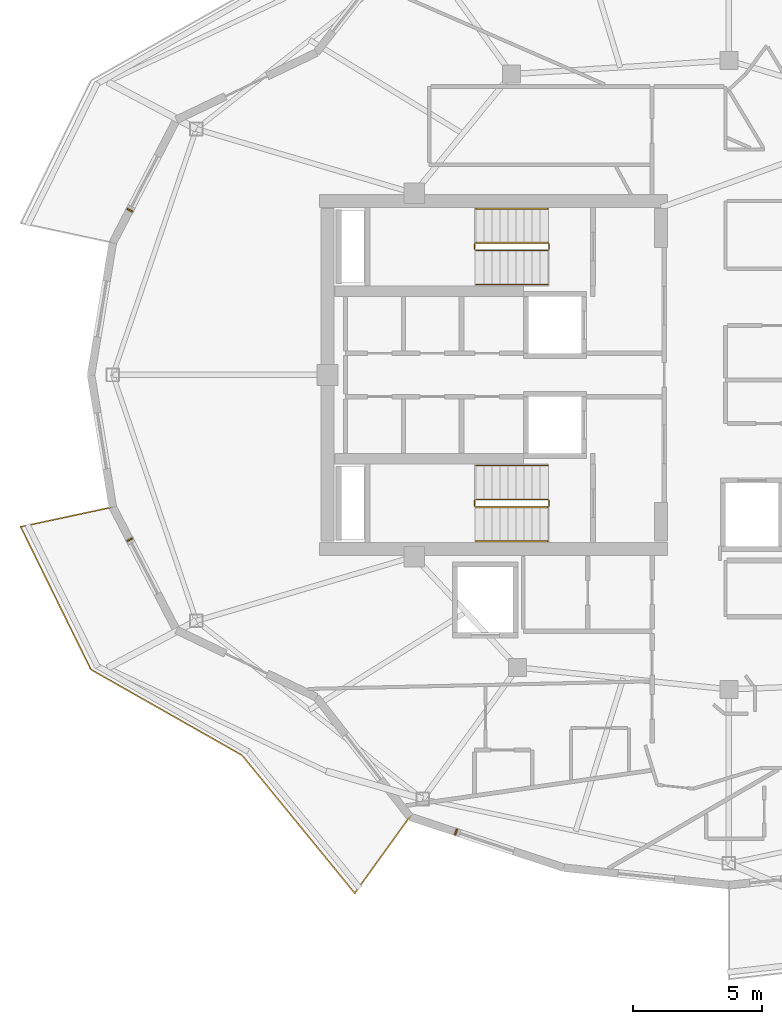
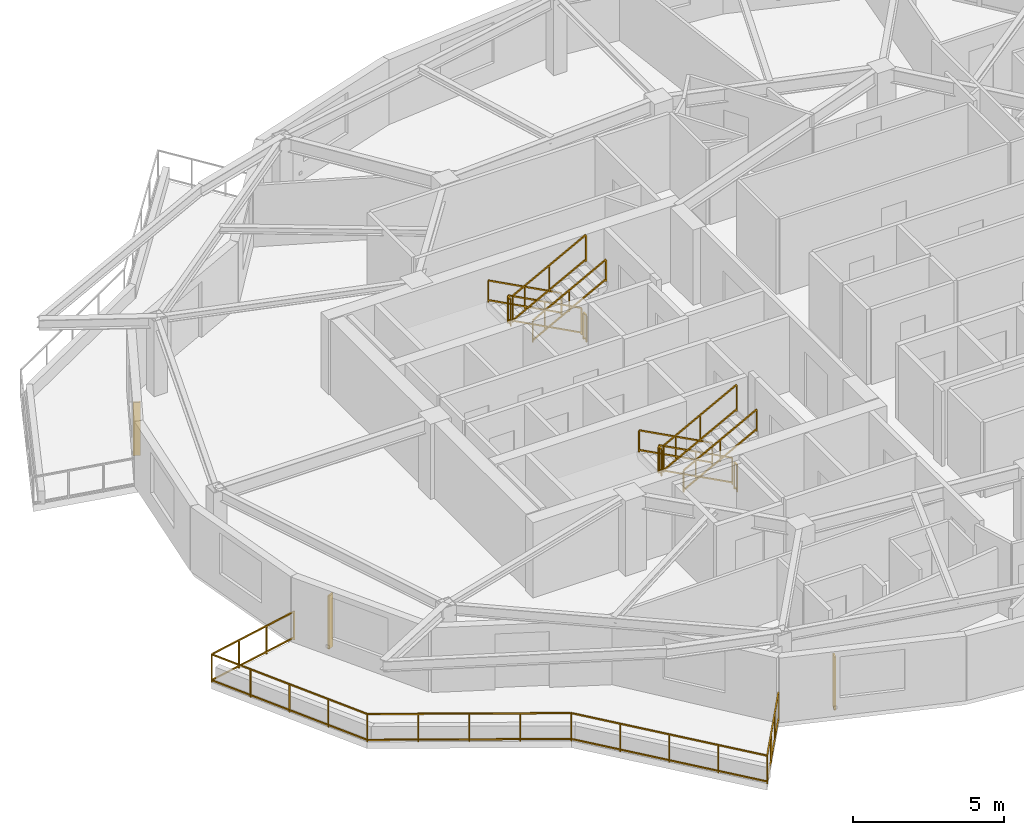
# One storey, part 12 of 14: 13 railings, 3 shading devices.
"""IFC4 building model written with IfcOpenShell, lengths in metres."""

from ifc_helpers import new_model, si_unit, direction, frame, origin, origin_2d, place, context, subcontext, project, spatial, rectangle, extrude, material, type_object, element, save


model = new_model("IFC4")

# Units and contexts
model_context = context("Model", 3, precision=1e-05, world=origin(), true_north=direction((0.0, 1.0)))
body_context = subcontext(model_context, "Body", "Model", "MODEL_VIEW")
ifc_project = project(units=[si_unit("LENGTHUNIT", "METRE"), si_unit("AREAUNIT", "SQUARE_METRE"), si_unit("VOLUMEUNIT", "CUBIC_METRE"), si_unit("PLANEANGLEUNIT", "RADIAN"), si_unit("MASSUNIT", "GRAM", prefix="KILO")], contexts=[model_context])

# Site, building, storey
site_placement = place(None, origin())
site = spatial("IfcSite", under=ifc_project, at=site_placement, CompositionType="ELEMENT")
building_placement = place(site_placement, origin())
building = spatial("IfcBuilding", under=site, at=building_placement, Name="Kolvaren Gate Tower and Convention Centre", CompositionType="ELEMENT")
storey_placement = place(building_placement, frame((0.0, 0.0, 232.699951171875)))
storey = spatial("IfcBuildingStorey", under=building, at=storey_placement, Name="L62", CompositionType="ELEMENT", Elevation=232.699951171875)

# Railings
ifc_material_1 = material(Name="Brushed Stainless Steel Grade 316L", Category="steel")
railing_type_1 = type_object("IfcRailingType", Name="ARCH-RL-GUARD-1150", PredefinedType="GUARDRAIL", material=ifc_material_1)
railing_1_placement = place(storey_placement, frame((23.10009765625, 32.1298828125, 0.1650390625)))
element("IfcRailing", 1, at=railing_1_placement, inside=storey, type_object=railing_type_1, Name="L62 ST-T1 stair guard 1", PredefinedType="GUARDRAIL", context=body_context, shape_type="SweptSolid", body=[
    extrude(rectangle(XDim=0.048095703125, YDim=0.048095703125, at=origin_2d()), frame((0.0, 0.0, 1.076171875), z_axis=(-0.882735390775, 0.0, 0.469870439454), x_axis=(0.0, -1.0, 0.0)), (0.0, 0.0, 1.0), 3.16064453125),
    extrude(rectangle(XDim=0.048095703125, YDim=0.048095703125, at=origin_2d()), frame((0.0, 0.0, 0.083984375), z_axis=(-0.882735390775, 0.0, 0.469870439454), x_axis=(0.0, -1.0, 0.0)), (0.0, 0.0, 1.0), 3.16064453125),
    extrude(rectangle(XDim=0.0419921875, YDim=0.0419921875, at=origin_2d()), origin(), (0.0, 0.0, 1.0), 1.050048828125),
    extrude(rectangle(XDim=0.0419921875, YDim=0.0419921875, at=origin_2d()), frame((-2.7900390625, 0.0, 1.485107421875)), (0.0, 0.0, 1.0), 1.050048828125),
    extrude(rectangle(XDim=0.0419921875, YDim=0.0419921875, at=origin_2d()), frame((-1.39501953125, 0.0, 0.74267578125)), (0.0, 0.0, 1.0), 1.050048828125),
])
railing_2_placement = place(storey_placement, frame((20.260009765625, 32.080078125, 1.650146484375)))
element("IfcRailing", 2, at=railing_2_placement, inside=storey, type_object=railing_type_1, Name="L62 ST-T1 stair guard 2", PredefinedType="GUARDRAIL", context=body_context, shape_type="SweptSolid", body=[
    extrude(rectangle(XDim=0.048095703125, YDim=0.048095703125, at=origin_2d()), frame((0.0, 0.0, 1.076171875), z_axis=(0.0, -1.0, 0.0), x_axis=(1.0, 0.0, 0.0)), (0.0, 0.0, 1.0), 0.2001953125),
    extrude(rectangle(XDim=0.048095703125, YDim=0.048095703125, at=origin_2d()), frame((0.0, 0.0, 0.083984375), z_axis=(0.0, -1.0, 0.0), x_axis=(1.0, 0.0, 0.0)), (0.0, 0.0, 1.0), 0.2001953125),
    extrude(rectangle(XDim=0.0419921875, YDim=0.0419921875, at=origin_2d()), origin(), (0.0, 0.0, 1.0), 1.050048828125),
    extrude(rectangle(XDim=0.0419921875, YDim=0.0419921875, at=origin_2d()), frame((0.0, -0.2001953125, 0.0)), (0.0, 0.0, 1.0), 1.050048828125),
])
railing_3_placement = place(storey_placement, frame((20.31005859375, 31.830078125, 1.81494140625)))
element("IfcRailing", 3, at=railing_3_placement, inside=storey, type_object=railing_type_1, Name="L62 ST-T1 stair guard 3", PredefinedType="GUARDRAIL", context=body_context, shape_type="SweptSolid", body=[
    extrude(rectangle(XDim=0.048095703125, YDim=0.048095703125, at=origin_2d()), frame((0.0, 0.0, 1.076171875), z_axis=(0.882735390775, 0.0, 0.469870439454), x_axis=(0.0, 1.0, 0.0)), (0.0, 0.0, 1.0), 3.16064453125),
    extrude(rectangle(XDim=0.048095703125, YDim=0.048095703125, at=origin_2d()), frame((0.0, 0.0, 0.083984375), z_axis=(0.882735390775, 0.0, 0.469870439454), x_axis=(0.0, 1.0, 0.0)), (0.0, 0.0, 1.0), 3.16064453125),
    extrude(rectangle(XDim=0.0419921875, YDim=0.0419921875, at=origin_2d()), origin(), (0.0, 0.0, 1.0), 1.050048828125),
    extrude(rectangle(XDim=0.0419921875, YDim=0.0419921875, at=origin_2d()), frame((2.7900390625, 0.0, 1.485107421875)), (0.0, 0.0, 1.0), 1.050048828125),
    extrude(rectangle(XDim=0.0419921875, YDim=0.0419921875, at=origin_2d()), frame((1.39501953125, 0.0, 0.74267578125)), (0.0, 0.0, 1.0), 1.050048828125),
])
railing_4_placement = place(storey_placement, frame((23.14990234375, 32.080078125, 0.0)))
element("IfcRailing", 4, at=railing_4_placement, inside=storey, type_object=railing_type_1, Name="L62 ST-T1 stair guard 4", PredefinedType="GUARDRAIL", context=body_context, shape_type="SweptSolid", body=[
    extrude(rectangle(XDim=0.048095703125, YDim=0.048095703125, at=origin_2d()), frame((0.0, 0.0, 1.076171875), z_axis=(0.0, -1.0, 0.0), x_axis=(1.0, 0.0, 0.0)), (0.0, 0.0, 1.0), 0.2001953125),
    extrude(rectangle(XDim=0.048095703125, YDim=0.048095703125, at=origin_2d()), frame((0.0, 0.0, 0.083984375), z_axis=(0.0, -1.0, 0.0), x_axis=(1.0, 0.0, 0.0)), (0.0, 0.0, 1.0), 0.2001953125),
    extrude(rectangle(XDim=0.0419921875, YDim=0.0419921875, at=origin_2d()), origin(), (0.0, 0.0, 1.0), 1.050048828125),
    extrude(rectangle(XDim=0.0419921875, YDim=0.0419921875, at=origin_2d()), frame((0.0, -0.2001953125, 0.0)), (0.0, 0.0, 1.0), 1.050048828125),
])
railing_5_placement = place(storey_placement, frame((23.10009765625, 22.169921875, 0.1650390625)))
element("IfcRailing", 5, at=railing_5_placement, inside=storey, type_object=railing_type_1, Name="L62 ST-T2 stair guard 1", PredefinedType="GUARDRAIL", context=body_context, shape_type="SweptSolid", body=[
    extrude(rectangle(XDim=0.048095703125, YDim=0.048095703125, at=origin_2d()), frame((0.0, 0.0, 1.076171875), z_axis=(-0.882735390775, 0.0, 0.469870439454), x_axis=(0.0, -1.0, 0.0)), (0.0, 0.0, 1.0), 3.16064453125),
    extrude(rectangle(XDim=0.048095703125, YDim=0.048095703125, at=origin_2d()), frame((0.0, 0.0, 0.083984375), z_axis=(-0.882735390775, 0.0, 0.469870439454), x_axis=(0.0, -1.0, 0.0)), (0.0, 0.0, 1.0), 3.16064453125),
    extrude(rectangle(XDim=0.0419921875, YDim=0.0419921875, at=origin_2d()), origin(), (0.0, 0.0, 1.0), 1.050048828125),
    extrude(rectangle(XDim=0.0419921875, YDim=0.0419921875, at=origin_2d()), frame((-2.7900390625, 0.0, 1.485107421875)), (0.0, 0.0, 1.0), 1.050048828125),
    extrude(rectangle(XDim=0.0419921875, YDim=0.0419921875, at=origin_2d()), frame((-1.39501953125, 0.0, 0.74267578125)), (0.0, 0.0, 1.0), 1.050048828125),
])
railing_6_placement = place(storey_placement, frame((20.260009765625, 22.1201171875, 1.650146484375)))
element("IfcRailing", 6, at=railing_6_placement, inside=storey, type_object=railing_type_1, Name="L62 ST-T2 stair guard 2", PredefinedType="GUARDRAIL", context=body_context, shape_type="SweptSolid", body=[
    extrude(rectangle(XDim=0.048095703125, YDim=0.048095703125, at=origin_2d()), frame((0.0, 0.0, 1.076171875), z_axis=(0.0, -1.0, 0.0), x_axis=(1.0, 0.0, 0.0)), (0.0, 0.0, 1.0), 0.2001953125),
    extrude(rectangle(XDim=0.048095703125, YDim=0.048095703125, at=origin_2d()), frame((0.0, 0.0, 0.083984375), z_axis=(0.0, -1.0, 0.0), x_axis=(1.0, 0.0, 0.0)), (0.0, 0.0, 1.0), 0.2001953125),
    extrude(rectangle(XDim=0.0419921875, YDim=0.0419921875, at=origin_2d()), origin(), (0.0, 0.0, 1.0), 1.050048828125),
    extrude(rectangle(XDim=0.0419921875, YDim=0.0419921875, at=origin_2d()), frame((0.0, -0.2001953125, 0.0)), (0.0, 0.0, 1.0), 1.050048828125),
])
railing_7_placement = place(storey_placement, frame((20.31005859375, 21.8701171875, 1.81494140625)))
element("IfcRailing", 7, at=railing_7_placement, inside=storey, type_object=railing_type_1, Name="L62 ST-T2 stair guard 3", PredefinedType="GUARDRAIL", context=body_context, shape_type="SweptSolid", body=[
    extrude(rectangle(XDim=0.048095703125, YDim=0.048095703125, at=origin_2d()), frame((0.0, 0.0, 1.076171875), z_axis=(0.882735390775, 0.0, 0.469870439454), x_axis=(0.0, 1.0, 0.0)), (0.0, 0.0, 1.0), 3.16064453125),
    extrude(rectangle(XDim=0.048095703125, YDim=0.048095703125, at=origin_2d()), frame((0.0, 0.0, 0.083984375), z_axis=(0.882735390775, 0.0, 0.469870439454), x_axis=(0.0, 1.0, 0.0)), (0.0, 0.0, 1.0), 3.16064453125),
    extrude(rectangle(XDim=0.0419921875, YDim=0.0419921875, at=origin_2d()), origin(), (0.0, 0.0, 1.0), 1.050048828125),
    extrude(rectangle(XDim=0.0419921875, YDim=0.0419921875, at=origin_2d()), frame((2.7900390625, 0.0, 1.485107421875)), (0.0, 0.0, 1.0), 1.050048828125),
    extrude(rectangle(XDim=0.0419921875, YDim=0.0419921875, at=origin_2d()), frame((1.39501953125, 0.0, 0.74267578125)), (0.0, 0.0, 1.0), 1.050048828125),
])
railing_8_placement = place(storey_placement, frame((23.14990234375, 22.1201171875, 0.0)))
element("IfcRailing", 8, at=railing_8_placement, inside=storey, type_object=railing_type_1, Name="L62 ST-T2 stair guard 4", PredefinedType="GUARDRAIL", context=body_context, shape_type="SweptSolid", body=[
    extrude(rectangle(XDim=0.048095703125, YDim=0.048095703125, at=origin_2d()), frame((0.0, 0.0, 1.076171875), z_axis=(0.0, -1.0, 0.0), x_axis=(1.0, 0.0, 0.0)), (0.0, 0.0, 1.0), 0.2001953125),
    extrude(rectangle(XDim=0.048095703125, YDim=0.048095703125, at=origin_2d()), frame((0.0, 0.0, 0.083984375), z_axis=(0.0, -1.0, 0.0), x_axis=(1.0, 0.0, 0.0)), (0.0, 0.0, 1.0), 0.2001953125),
    extrude(rectangle(XDim=0.0419921875, YDim=0.0419921875, at=origin_2d()), origin(), (0.0, 0.0, 1.0), 1.050048828125),
    extrude(rectangle(XDim=0.0419921875, YDim=0.0419921875, at=origin_2d()), frame((0.0, -0.2001953125, 0.0)), (0.0, 0.0, 1.0), 1.050048828125),
])
railing_9_placement = place(storey_placement, frame((6.21826171875, 21.87548828125, 0.0)))
element("IfcRailing", 9, at=railing_9_placement, inside=storey, type_object=railing_type_1, Name="Tower L62 Terrace Perimeter Guardrail GR-2", PredefinedType="GUARDRAIL", context=body_context, shape_type="SweptSolid", body=[
    extrude(rectangle(XDim=0.048095703125, YDim=0.048095703125, at=origin_2d()), frame((-0.02734375, -0.005859375, 1.1259765625), z_axis=(-0.977788745232, -0.209592866525, 0.0), x_axis=(0.209592866525, -0.977788745232, 0.0)), (0.0, 0.0, 1.0), 3.603759765625),
    extrude(rectangle(XDim=0.048095703125, YDim=0.048095703125, at=origin_2d()), frame((-0.02734375, -0.005859375, 0.083984375), z_axis=(-0.977788745232, -0.209592866525, 0.0), x_axis=(0.209592866525, -0.977788745232, 0.0)), (0.0, 0.0, 1.0), 3.603759765625),
    extrude(rectangle(XDim=0.048095703125, YDim=0.048095703125, at=origin_2d()), frame((-3.566162109375, -0.792236328125, 1.1259765625), z_axis=(0.441625304244, -0.897199582396, 0.0), x_axis=(0.897199582396, 0.441625304244, 0.0)), (0.0, 0.0, 1.0), 6.122314453125),
    extrude(rectangle(XDim=0.048095703125, YDim=0.048095703125, at=origin_2d()), frame((-3.566162109375, -0.792236328125, 0.083984375), z_axis=(0.441625304244, -0.897199582396, 0.0), x_axis=(0.897199582396, 0.441625304244, 0.0)), (0.0, 0.0, 1.0), 6.122314453125),
    extrude(rectangle(XDim=0.048095703125, YDim=0.048095703125, at=origin_2d()), frame((-0.82568359375, -6.32421875, 1.1259765625), z_axis=(0.869876155964, -0.493270182846, 0.0), x_axis=(0.493270182846, 0.869876155964, 0.0)), (0.0, 0.0, 1.0), 6.6865234375),
    extrude(rectangle(XDim=0.048095703125, YDim=0.048095703125, at=origin_2d()), frame((-0.82568359375, -6.32421875, 0.083984375), z_axis=(0.869876155964, -0.493270182846, 0.0), x_axis=(0.493270182846, 0.869876155964, 0.0)), (0.0, 0.0, 1.0), 6.6865234375),
    extrude(rectangle(XDim=0.048095703125, YDim=0.048095703125, at=origin_2d()), frame((5.032958984375, -9.657958984375, 1.1259765625), z_axis=(0.632718487063, -0.77438189295, 0.0), x_axis=(0.77438189295, 0.632718487063, 0.0)), (0.0, 0.0, 1.0), 6.858154296875),
    extrude(rectangle(XDim=0.048095703125, YDim=0.048095703125, at=origin_2d()), frame((5.032958984375, -9.657958984375, 0.083984375), z_axis=(0.632718487063, -0.77438189295, 0.0), x_axis=(0.77438189295, 0.632718487063, 0.0)), (0.0, 0.0, 1.0), 6.858154296875),
    extrude(rectangle(XDim=0.048095703125, YDim=0.048095703125, at=origin_2d()), frame((9.40625, -14.9677734375, 1.1259765625), z_axis=(0.585212870465, 0.810879705161, 0.0), x_axis=(-0.810879705161, 0.585212870465, 0.0)), (0.0, 0.0, 1.0), 3.603759765625),
    extrude(rectangle(XDim=0.048095703125, YDim=0.048095703125, at=origin_2d()), frame((9.40625, -14.9677734375, 0.083984375), z_axis=(0.585212870465, 0.810879705161, 0.0), x_axis=(-0.810879705161, 0.585212870465, 0.0)), (0.0, 0.0, 1.0), 3.603759765625),
    extrude(rectangle(XDim=0.0419921875, YDim=0.0419921875, at=origin_2d()), origin(), (0.0, 0.0, 1.0), 1.14990234375),
    extrude(rectangle(XDim=0.0419921875, YDim=0.0419921875, at=origin_2d()), frame((-3.57861328125, -0.76708984375, 0.0)), (0.0, 0.0, 1.0), 1.14990234375),
    extrude(rectangle(XDim=0.0419921875, YDim=0.0419921875, at=origin_2d()), frame((-1.19287109375, -0.255615234375, 0.0)), (0.0, 0.0, 1.0), 1.099853515625),
    extrude(rectangle(XDim=0.0419921875, YDim=0.0419921875, at=origin_2d()), frame((-2.3857421875, -0.511474609375, 0.0)), (0.0, 0.0, 1.0), 1.099853515625),
    extrude(rectangle(XDim=0.0419921875, YDim=0.0419921875, at=origin_2d()), frame((-0.85009765625, -6.310302734375, 0.0)), (0.0, 0.0, 1.0), 1.14990234375),
    extrude(rectangle(XDim=0.0419921875, YDim=0.0419921875, at=origin_2d()), frame((-2.896484375, -2.15283203125, 0.0)), (0.0, 0.0, 1.0), 1.099853515625),
    extrude(rectangle(XDim=0.0419921875, YDim=0.0419921875, at=origin_2d()), frame((-2.21435546875, -3.53857421875, 0.0)), (0.0, 0.0, 1.0), 1.099853515625),
    extrude(rectangle(XDim=0.0419921875, YDim=0.0419921875, at=origin_2d()), frame((-1.5322265625, -4.924560546875, 0.0)), (0.0, 0.0, 1.0), 1.099853515625),
    extrude(rectangle(XDim=0.0419921875, YDim=0.0419921875, at=origin_2d()), frame((5.01513671875, -9.63623046875, 0.0)), (0.0, 0.0, 1.0), 1.14990234375),
    extrude(rectangle(XDim=0.0419921875, YDim=0.0419921875, at=origin_2d()), frame((0.6162109375, -7.141845703125, 0.0)), (0.0, 0.0, 1.0), 1.099853515625),
    extrude(rectangle(XDim=0.0419921875, YDim=0.0419921875, at=origin_2d()), frame((2.08251953125, -7.97314453125, 0.0)), (0.0, 0.0, 1.0), 1.099853515625),
    extrude(rectangle(XDim=0.0419921875, YDim=0.0419921875, at=origin_2d()), frame((3.548828125, -8.8046875, 0.0)), (0.0, 0.0, 1.0), 1.099853515625),
    extrude(rectangle(XDim=0.0419921875, YDim=0.0419921875, at=origin_2d()), frame((9.389892578125, -14.990478515625, 0.0)), (0.0, 0.0, 1.0), 1.14990234375),
    extrude(rectangle(XDim=0.0419921875, YDim=0.0419921875, at=origin_2d()), frame((6.10888671875, -10.974853515625, 0.0)), (0.0, 0.0, 1.0), 1.099853515625),
    extrude(rectangle(XDim=0.0419921875, YDim=0.0419921875, at=origin_2d()), frame((7.20263671875, -12.3134765625, 0.0)), (0.0, 0.0, 1.0), 1.099853515625),
    extrude(rectangle(XDim=0.0419921875, YDim=0.0419921875, at=origin_2d()), frame((8.296142578125, -13.65185546875, 0.0)), (0.0, 0.0, 1.0), 1.099853515625),
    extrude(rectangle(XDim=0.0419921875, YDim=0.0419921875, at=origin_2d()), frame((11.53173828125, -12.022705078125, 0.0)), (0.0, 0.0, 1.0), 1.14990234375),
    extrude(rectangle(XDim=0.0419921875, YDim=0.0419921875, at=origin_2d()), frame((10.103759765625, -14.001220703125, 0.0)), (0.0, 0.0, 1.0), 1.099853515625),
    extrude(rectangle(XDim=0.0419921875, YDim=0.0419921875, at=origin_2d()), frame((10.81787109375, -13.011962890625, 0.0)), (0.0, 0.0, 1.0), 1.099853515625),
])
railing_type_2 = type_object("IfcRailingType", Name="ARCH-RL-HANDRAIL-920", PredefinedType="HANDRAIL", material=ifc_material_1)
railing_10_placement = place(storey_placement, frame((23.10009765625, 33.449951171875, 0.1650390625)))
element("IfcRailing", 10, at=railing_10_placement, inside=storey, type_object=railing_type_2, Name="L62 ST-T1 stair handrail 1", PredefinedType="HANDRAIL", context=body_context, shape_type="SweptSolid", body=[
    extrude(rectangle(XDim=0.048095703125, YDim=0.048095703125, at=origin_2d()), frame((0.0, 0.0, 0.8759765625), z_axis=(-0.882735390775, 0.0, 0.469870439454), x_axis=(0.0, -1.0, 0.0)), (0.0, 0.0, 1.0), 3.16064453125),
    extrude(rectangle(XDim=0.048095703125, YDim=0.048095703125, at=origin_2d()), frame((0.0, 0.0, 0.083984375), z_axis=(-0.882735390775, 0.0, 0.469870439454), x_axis=(0.0, -1.0, 0.0)), (0.0, 0.0, 1.0), 3.16064453125),
    extrude(rectangle(XDim=0.0419921875, YDim=0.0419921875, at=origin_2d()), origin(), (0.0, 0.0, 1.0), 0.849853515625),
    extrude(rectangle(XDim=0.0419921875, YDim=0.0419921875, at=origin_2d()), frame((-2.7900390625, 0.0, 1.485107421875)), (0.0, 0.0, 1.0), 0.849853515625),
    extrude(rectangle(XDim=0.0419921875, YDim=0.0419921875, at=origin_2d()), frame((-1.39501953125, 0.0, 0.74267578125)), (0.0, 0.0, 1.0), 0.849853515625),
])
railing_11_placement = place(storey_placement, frame((20.31005859375, 30.510009765625, 1.81494140625)))
element("IfcRailing", 11, at=railing_11_placement, inside=storey, type_object=railing_type_2, Name="L62 ST-T1 stair handrail 2", PredefinedType="HANDRAIL", context=body_context, shape_type="SweptSolid", body=[
    extrude(rectangle(XDim=0.048095703125, YDim=0.048095703125, at=origin_2d()), frame((0.0, 0.0, 0.8759765625), z_axis=(0.882735390775, 0.0, 0.469870439454), x_axis=(0.0, 1.0, 0.0)), (0.0, 0.0, 1.0), 3.16064453125),
    extrude(rectangle(XDim=0.048095703125, YDim=0.048095703125, at=origin_2d()), frame((0.0, 0.0, 0.083984375), z_axis=(0.882735390775, 0.0, 0.469870439454), x_axis=(0.0, 1.0, 0.0)), (0.0, 0.0, 1.0), 3.16064453125),
    extrude(rectangle(XDim=0.0419921875, YDim=0.0419921875, at=origin_2d()), origin(), (0.0, 0.0, 1.0), 0.849853515625),
    extrude(rectangle(XDim=0.0419921875, YDim=0.0419921875, at=origin_2d()), frame((2.7900390625, 0.0, 1.485107421875)), (0.0, 0.0, 1.0), 0.849853515625),
    extrude(rectangle(XDim=0.0419921875, YDim=0.0419921875, at=origin_2d()), frame((1.39501953125, 0.0, 0.74267578125)), (0.0, 0.0, 1.0), 0.849853515625),
])
railing_12_placement = place(storey_placement, frame((23.10009765625, 23.489990234375, 0.1650390625)))
element("IfcRailing", 12, at=railing_12_placement, inside=storey, type_object=railing_type_2, Name="L62 ST-T2 stair handrail 1", PredefinedType="HANDRAIL", context=body_context, shape_type="SweptSolid", body=[
    extrude(rectangle(XDim=0.048095703125, YDim=0.048095703125, at=origin_2d()), frame((0.0, 0.0, 0.8759765625), z_axis=(-0.882735390775, 0.0, 0.469870439454), x_axis=(0.0, -1.0, 0.0)), (0.0, 0.0, 1.0), 3.16064453125),
    extrude(rectangle(XDim=0.048095703125, YDim=0.048095703125, at=origin_2d()), frame((0.0, 0.0, 0.083984375), z_axis=(-0.882735390775, 0.0, 0.469870439454), x_axis=(0.0, -1.0, 0.0)), (0.0, 0.0, 1.0), 3.16064453125),
    extrude(rectangle(XDim=0.0419921875, YDim=0.0419921875, at=origin_2d()), origin(), (0.0, 0.0, 1.0), 0.849853515625),
    extrude(rectangle(XDim=0.0419921875, YDim=0.0419921875, at=origin_2d()), frame((-2.7900390625, 0.0, 1.485107421875)), (0.0, 0.0, 1.0), 0.849853515625),
    extrude(rectangle(XDim=0.0419921875, YDim=0.0419921875, at=origin_2d()), frame((-1.39501953125, 0.0, 0.74267578125)), (0.0, 0.0, 1.0), 0.849853515625),
])
railing_13_placement = place(storey_placement, frame((20.31005859375, 20.550048828125, 1.81494140625)))
element("IfcRailing", 13, at=railing_13_placement, inside=storey, type_object=railing_type_2, Name="L62 ST-T2 stair handrail 2", PredefinedType="HANDRAIL", context=body_context, shape_type="SweptSolid", body=[
    extrude(rectangle(XDim=0.048095703125, YDim=0.048095703125, at=origin_2d()), frame((0.0, 0.0, 0.8759765625), z_axis=(0.882735390775, 0.0, 0.469870439454), x_axis=(0.0, 1.0, 0.0)), (0.0, 0.0, 1.0), 3.16064453125),
    extrude(rectangle(XDim=0.048095703125, YDim=0.048095703125, at=origin_2d()), frame((0.0, 0.0, 0.083984375), z_axis=(0.882735390775, 0.0, 0.469870439454), x_axis=(0.0, 1.0, 0.0)), (0.0, 0.0, 1.0), 3.16064453125),
    extrude(rectangle(XDim=0.0419921875, YDim=0.0419921875, at=origin_2d()), origin(), (0.0, 0.0, 1.0), 0.849853515625),
    extrude(rectangle(XDim=0.0419921875, YDim=0.0419921875, at=origin_2d()), frame((2.7900390625, 0.0, 1.485107421875)), (0.0, 0.0, 1.0), 0.849853515625),
    extrude(rectangle(XDim=0.0419921875, YDim=0.0419921875, at=origin_2d()), frame((1.39501953125, 0.0, 0.74267578125)), (0.0, 0.0, 1.0), 0.849853515625),
])

# Shading devices
ifc_material_2 = material(Name="Kiln-Fired Bogota Terracotta Ceramic Louvre Profile", Category="masonry")
shading_device_type = type_object("IfcShadingDeviceType", Name="ARCH-SHD-FIN-180", PredefinedType="JALOUSIE", material=ifc_material_2)
for number, where, z_axis, x_axis, name in (
    (14, (6.87548828125, 33.3935546875, 0.22021484375), (0.0, 0.0, 1.0), (0.459799959359, 0.888022520758, 0.0), "Ceramic Vertical Brise-Soleil Fin FN-L62-10"),
    (15, (6.87548828125, 20.6064453125, 0.22021484375), (0.0, 0.0, 1.0), (0.459799959359, -0.888022520758, 0.0), "Ceramic Vertical Brise-Soleil Fin FN-L62-13"),
    (16, (19.538330078125, 9.260009765625, 0.22021484375), (0.0, 0.0, 1.0), (0.949241728595, -0.314547517385, 0.0), "Ceramic Vertical Brise-Soleil Fin FN-L62-16"),
):
    element("IfcShadingDevice", number, at=place(storey_placement, frame(where, z_axis=z_axis, x_axis=x_axis)), inside=storey, type_object=shading_device_type, Name=name, PredefinedType="JALOUSIE", context=body_context, shape_type="SweptSolid", body=[
        extrude(rectangle(XDim=0.06005859375, YDim=0.239990234375, at=origin_2d()), origin(), (0.0, 0.0, 1.0), 2.14990234375),
    ])

save(model, "model.ifc")
